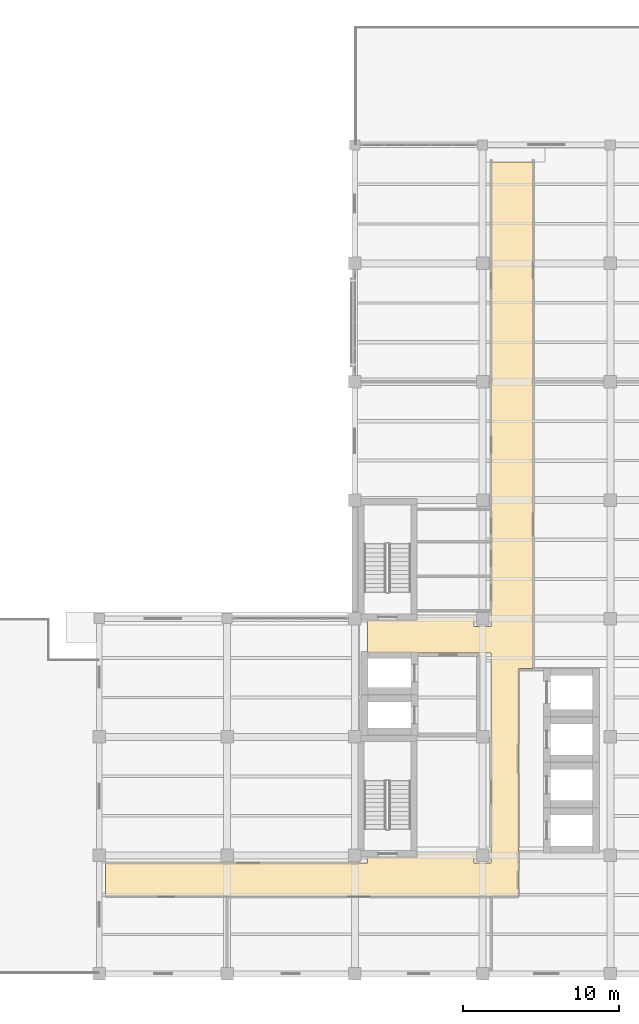
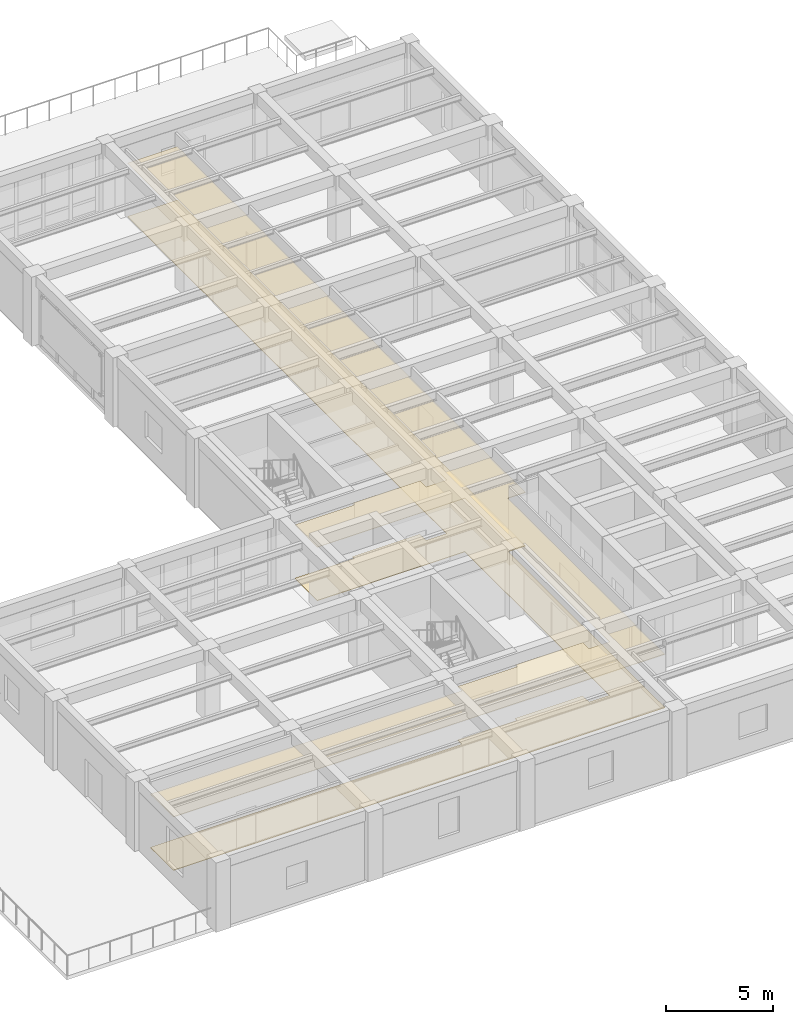
# One storey, part 12 of 14: 2 coverings.
"""IFC4 building model written with IfcOpenShell, lengths in metres."""

from ifc_helpers import new_model, si_unit, direction, frame, origin, place, context, subcontext, project, spatial, polyline, outline, extrude, material, layer, layer_set, type_object, element, save


model = new_model("IFC4")

# Units and contexts
model_context = context("Model", 3, precision=1e-05, world=origin(), true_north=direction((0.0, 1.0)))
body_context = subcontext(model_context, "Body", "Model", "MODEL_VIEW")
ifc_project = project(units=[si_unit("LENGTHUNIT", "METRE"), si_unit("AREAUNIT", "SQUARE_METRE"), si_unit("VOLUMEUNIT", "CUBIC_METRE"), si_unit("PLANEANGLEUNIT", "RADIAN"), si_unit("MASSUNIT", "GRAM", prefix="KILO")], contexts=[model_context])

# Site, building, storey
site_placement = place(None, origin())
site = spatial("IfcSite", under=ifc_project, at=site_placement, CompositionType="ELEMENT")
building_placement = place(site_placement, origin())
building = spatial("IfcBuilding", under=site, at=building_placement, Name="Qandaris Square Conservatory and Botanical Centre", CompositionType="ELEMENT")
storey_placement = place(building_placement, frame((0.0, 0.0, 36.60009765625)))
storey = spatial("IfcBuildingStorey", under=building, at=storey_placement, Name="L08", CompositionType="ELEMENT", Elevation=36.60009765625)

# Coverings
ifc_material_1 = material(Name="Honed Qatari Limestone", Category="masonry")
ifc_layer_1 = layer(ifc_material_1, 0.030029296875)
ifc_layer_set_1 = layer_set([ifc_layer_1], Name="Honed Qatari Limestone")
covering_type_1 = type_object("IfcCoveringType", Name="Honed Qatari Limestone Concourse Paving", PredefinedType="FLOORING", material=ifc_layer_set_1)
covering_1_placement = place(storey_placement, origin())
element("IfcCovering", 1, at=covering_1_placement, inside=storey, type_object=covering_type_1, Name="Main Circulation Corridor L08 Flooring", PredefinedType="FLOORING", context=body_context, shape_type="SweptSolid", body=[
    extrude(outline(polyline([(140.0, 24.10009765625), (143.199951171875, 24.10009765625), (143.199951171875, 24.280029296875), (146.85009765625, 24.280029296875), (146.85009765625, 23.699951171875), (147.949951171875, 23.699951171875), (147.949951171875, 24.75), (147.949951171875, 31.75), (147.949951171875, 36.199951171875), (147.949951171875, 37.199951171875), (140.0, 37.199951171875), (140.0, 38.89990234375), (140.0, 39.300048828125), (143.199951171875, 39.300048828125), (143.199951171875, 39.47998046875), (146.85009765625, 39.47998046875), (146.85009765625, 38.89990234375), (147.949951171875, 38.89990234375), (147.949951171875, 39.89990234375), (147.949951171875, 42.1201171875), (147.949951171875, 44.340087890625), (147.949951171875, 46.419921875), (147.949951171875, 68.699951171875), (150.64990234375, 68.699951171875), (150.64990234375, 36.199951171875), (149.699951171875, 36.199951171875), (149.699951171875, 36.050048828125), (149.699951171875, 24.75), (149.699951171875, 23.699951171875), (149.699951171875, 21.550048828125), (147.949951171875, 21.550048828125), (123.199951171875, 21.550048828125), (123.199951171875, 23.699951171875), (140.0, 23.699951171875), (140.0, 24.10009765625)])), origin(), (0.0, 0.0, 1.0), 0.02978515625),
])
ifc_material_2 = material(Name="Gypsum Plasterboard", Category="gypsum")
ifc_layer_2 = layer(ifc_material_2, 0.02490234375)
ifc_layer_set_2 = layer_set([ifc_layer_2], Name="Gypsum Plasterboard")
covering_type_2 = type_object("IfcCoveringType", Name="Perforated Acoustic Lab Ceiling Tile", PredefinedType="CEILING", material=ifc_layer_set_2)
covering_2_placement = place(storey_placement, frame((0.0, 0.0, 3.0498046875)))
element("IfcCovering", 2, at=covering_2_placement, inside=storey, type_object=covering_type_2, Name="Main Circulation Corridor L08 Ceiling", PredefinedType="CEILING", context=body_context, shape_type="SweptSolid", body=[
    extrude(outline(polyline([(140.0, 24.10009765625), (143.199951171875, 24.10009765625), (143.199951171875, 24.280029296875), (146.85009765625, 24.280029296875), (146.85009765625, 23.699951171875), (147.949951171875, 23.699951171875), (147.949951171875, 24.75), (147.949951171875, 31.75), (147.949951171875, 36.199951171875), (147.949951171875, 37.199951171875), (140.0, 37.199951171875), (140.0, 38.89990234375), (140.0, 39.300048828125), (143.199951171875, 39.300048828125), (143.199951171875, 39.47998046875), (146.85009765625, 39.47998046875), (146.85009765625, 38.89990234375), (147.949951171875, 38.89990234375), (147.949951171875, 39.89990234375), (147.949951171875, 42.1201171875), (147.949951171875, 44.340087890625), (147.949951171875, 46.419921875), (147.949951171875, 68.699951171875), (150.64990234375, 68.699951171875), (150.64990234375, 36.199951171875), (149.699951171875, 36.199951171875), (149.699951171875, 36.050048828125), (149.699951171875, 24.75), (149.699951171875, 23.699951171875), (149.699951171875, 21.550048828125), (147.949951171875, 21.550048828125), (123.199951171875, 21.550048828125), (123.199951171875, 23.699951171875), (140.0, 23.699951171875), (140.0, 24.10009765625)])), origin(), (0.0, 0.0, 1.0), 0.025146484375),
])

save(model, "model.ifc")
